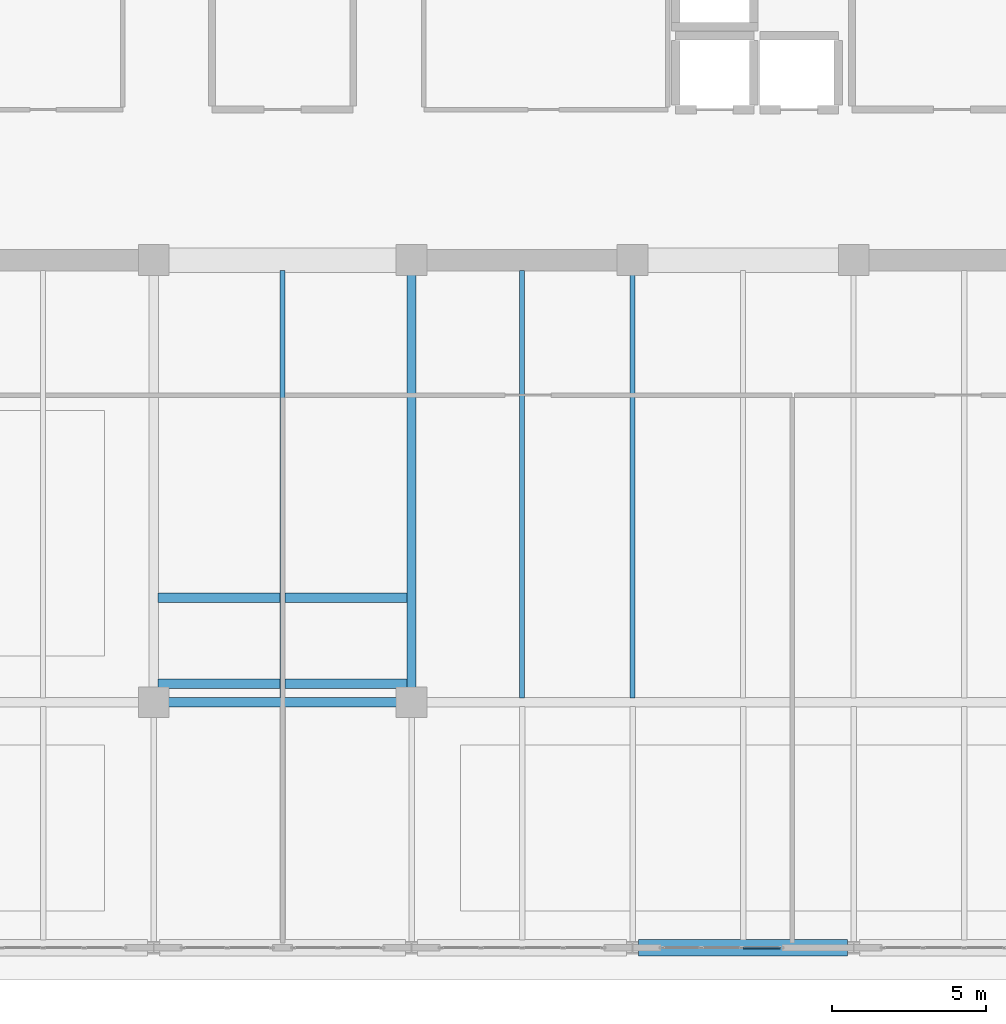
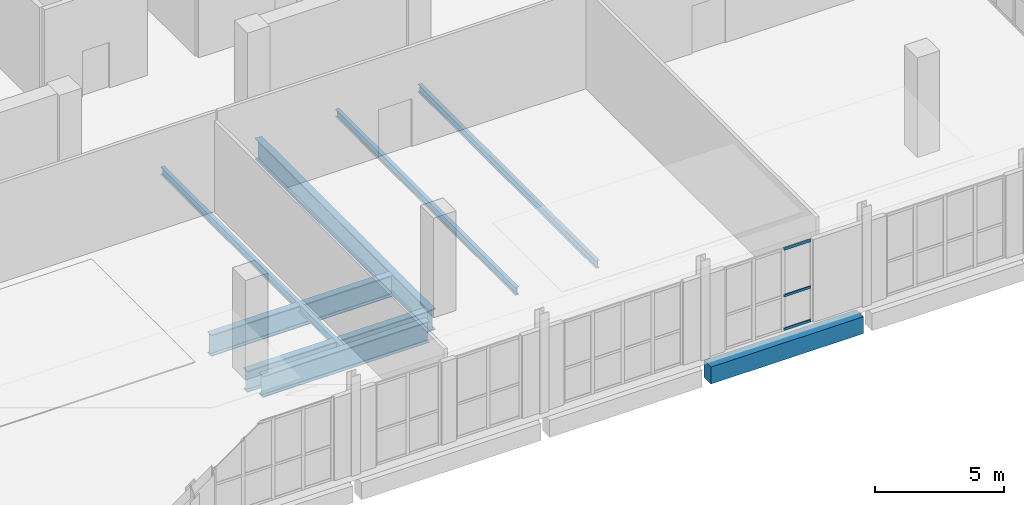
# One storey, part 16 of 36: 8 beams, 3 members, 1 element without a shape of its own.
"""IFC4 building model written with IfcOpenShell, lengths in metres."""

from ifc_helpers import new_model, si_unit, direction, frame, origin, origin_2d, place, context, subcontext, project, spatial, rectangle, hollow_rectangle, i_section, extrude, material, layer, layer_set, material_profile, profile_set, type_object, element, aggregate, save


model = new_model("IFC4")

# Units and contexts
model_context = context("Model", 3, precision=1e-05, world=origin(), true_north=direction((0.0, 1.0)))
body_context = subcontext(model_context, "Body", "Model", "MODEL_VIEW")
ifc_project = project(units=[si_unit("LENGTHUNIT", "METRE"), si_unit("AREAUNIT", "SQUARE_METRE"), si_unit("VOLUMEUNIT", "CUBIC_METRE"), si_unit("PLANEANGLEUNIT", "RADIAN"), si_unit("MASSUNIT", "GRAM", prefix="KILO")], contexts=[model_context])

# Site, building, storey
site_placement = place(None, origin())
site = spatial("IfcSite", under=ifc_project, at=site_placement, CompositionType="ELEMENT")
building_placement = place(site_placement, origin())
building = spatial("IfcBuilding", under=site, at=building_placement, Name="Kaelvorn Grand Hotel", CompositionType="ELEMENT")
storey_placement = place(building_placement, frame((0.0, 0.0, 305.699951171875)))
storey = spatial("IfcBuildingStorey", under=building, at=storey_placement, Name="L74", CompositionType="ELEMENT", Elevation=305.699951171875)

# Beams
ifc_material_1 = material(Name="Steel S460", Category="steel")
ifc_material_profile_1 = material_profile(ifc_material_1, i_section(OverallWidth=0.302001953125, OverallDepth=1.008056640625, WebThickness=0.02099609375, FlangeThickness=0.0400390625, FilletRadius=0.024169921875, at=origin_2d()), Name="UB 1016x305x349")
ifc_profile_set_1 = profile_set([ifc_material_profile_1], Name="Steel S460")
beam_type_1 = type_object("IfcBeamType", Name="BM-G-UB1016-S460", PredefinedType="BEAM", material=ifc_profile_set_1)
beam_1_placement = place(storey_placement, frame((38.284912109375, 15.0, -0.884033203125), z_axis=(1.0, 0.0, 0.0), x_axis=(0.0, 1.0, 0.0)))
element("IfcBeam", 1, at=beam_1_placement, inside=storey, type_object=beam_type_1, Name="L74 Primary Spine Steel Girder G-15 03", PredefinedType="BEAM", context=body_context, shape_type="SweptSolid", body=[
    extrude(i_section(OverallWidth=0.302001953125, OverallDepth=1.008056640625, WebThickness=0.02099609375, FlangeThickness=0.0400390625, FilletRadius=0.024169921875, at=origin_2d()), origin(), (0.0, 0.0, 1.0), 7.43017578125),
])
beam_2_placement = place(storey_placement, frame((46.199951171875, 15.485107421875, -0.884033203125), z_axis=(0.0, 1.0, 0.0), x_axis=(-1.0, 0.0, 0.0)))
element("IfcBeam", 2, at=beam_2_placement, inside=storey, type_object=beam_type_1, Name="L74 TMD Frame Girder N2 01", PredefinedType="BEAM", context=body_context, shape_type="SweptSolid", body=[
    extrude(i_section(OverallWidth=0.302001953125, OverallDepth=1.008056640625, WebThickness=0.02099609375, FlangeThickness=0.0400390625, FilletRadius=0.024169921875, at=origin_2d()), origin(), (0.0, 0.0, 1.0), 13.429931640625),
])
for number, where, z_axis, x_axis, name in (
    (3, (37.93994140625, 15.60009765625, -0.884033203125), (1.0, 0.0, 0.0), (0.0, 1.0, 0.0), "L74 Tuned Mass Damper Support Girder G1-1"),
    (4, (37.93994140625, 18.39990234375, -0.884033203125), (1.0, 0.0, 0.0), (0.0, 1.0, 0.0), "L74 Tuned Mass Damper Support Girder G1-2"),
):
    element("IfcBeam", number, at=place(storey_placement, frame(where, z_axis=z_axis, x_axis=x_axis)), inside=storey, type_object=beam_type_1, Name=name, PredefinedType="BEAM", context=body_context, shape_type="SweptSolid", body=[
        extrude(i_section(OverallWidth=0.302001953125, OverallDepth=1.008056640625, WebThickness=0.02099609375, FlangeThickness=0.0400390625, FilletRadius=0.024169921875, at=origin_2d()), origin(), (0.0, 0.0, 1.0), 8.1201171875),
    ])
ifc_material_2 = material(Name="Steel S355", Category="steel")
ifc_material_profile_2 = material_profile(ifc_material_2, i_section(OverallWidth=0.169921875, OverallDepth=0.360107421875, WebThickness=0.008056640625, FlangeThickness=0.0126953125, FilletRadius=0.01806640625, at=origin_2d()), Name="IPE 360")
ifc_profile_set_2 = profile_set([ifc_material_profile_2], Name="Steel S355")
beam_type_2 = type_object("IfcBeamType", Name="BM-J-IPE360-S355", PredefinedType="JOIST", material=ifc_profile_set_2)
for number, where, z_axis, x_axis, name in (
    (5, (42.0, 15.135986328125, -0.56005859375), (0.0, 1.0, 0.0), (-1.0, 0.0, 0.0), "L74 Composite Floor Joist JM-12"),
    (6, (49.800048828125, 15.135986328125, -0.56005859375), (0.0, 1.0, 0.0), (-1.0, 0.0, 0.0), "L74 Composite Floor Joist JM-14"),
):
    element("IfcBeam", number, at=place(storey_placement, frame(where, z_axis=z_axis, x_axis=x_axis)), inside=storey, type_object=beam_type_2, Name=name, PredefinedType="JOIST", context=body_context, shape_type="SweptSolid", body=[
        extrude(i_section(OverallWidth=0.169921875, OverallDepth=0.360107421875, WebThickness=0.008056640625, FlangeThickness=0.0126953125, FilletRadius=0.01806640625, at=origin_2d()), origin(), (0.0, 0.0, 1.0), 13.924072265625),
    ])
beam_3_placement = place(storey_placement, frame((53.39990234375, 15.135986328125, -0.56005859375), z_axis=(0.0, 1.0, 0.0), x_axis=(-1.0, 0.0, 0.0)))
element("IfcBeam", 7, at=beam_3_placement, inside=storey, type_object=beam_type_2, Name="L74 Composite Floor Joist JM-15", PredefinedType="JOIST", context=body_context, shape_type="SweptSolid", body=[
    extrude(i_section(OverallWidth=0.169921875, OverallDepth=0.360107421875, WebThickness=0.008056640625, FlangeThickness=0.0126953125, FilletRadius=0.01806640625, at=origin_2d()), origin(), (0.0, 0.0, 1.0), 13.779052734375),
])
ifc_material_3 = material(Name="Concrete C50/60", Category="concrete")
ifc_material_profile_3 = material_profile(ifc_material_3, rectangle(XDim=0.550048828125, YDim=0.800048828125, at=origin_2d()), Name="RC SPANDREL 550x800")
ifc_profile_set_3 = profile_set([ifc_material_profile_3], Name="Concrete C50/60")
beam_type_3 = type_object("IfcBeamType", Name="BM-SP-550x800-C50", PredefinedType="SPANDREL", material=ifc_profile_set_3)
beam_4_placement = place(storey_placement, frame((53.594970703125, 7.0, -0.780029296875), z_axis=(1.0, 0.0, 0.0), x_axis=(0.0, 1.0, 0.0)))
element("IfcBeam", 8, at=beam_4_placement, inside=storey, type_object=beam_type_3, Name="L74 South Perimeter Spandrel 07", PredefinedType="SPANDREL", context=body_context, shape_type="SweptSolid", body=[
    extrude(rectangle(XDim=0.550048828125, YDim=0.800048828125, at=origin_2d()), origin(), (0.0, 0.0, 1.0), 6.81005859375),
])

# Curtain wall, members
ifc_material_4 = material(Name="Anodised Aluminium", Category="aluminium")
ifc_layer = layer(ifc_material_4, 0.159912109375)
ifc_layer_set = layer_set([ifc_layer], Name="Anodised Aluminium")
curtain_wall_type = type_object("IfcCurtainWallType", Name="CW-SYS6", PredefinedType="NOTDEFINED", material=ifc_layer_set)
curtain_wall_placement = place(storey_placement, origin())
curtain_wall = element("IfcCurtainWall", 9, at=curtain_wall_placement, inside=storey, type_object=curtain_wall_type, Name="L74 Unitised Curtain Wall CW6 (CW-L74-S-07)", PredefinedType="NOTDEFINED")
ifc_material_profile_4 = material_profile(ifc_material_4, hollow_rectangle(XDim=0.06494140625, YDim=0.1201171875, WallThickness=0.00341796875, InnerFilletRadius=0.00341796875, OuterFilletRadius=0.007080078125, at=origin_2d()), Name="ALU TRAN 65x120")
ifc_profile_set_4 = profile_set([ifc_material_profile_4], Name="Anodised Aluminium")
member_type = type_object("IfcMemberType", Name="CW-SYS6-TRAN", PredefinedType="NOTDEFINED", material=ifc_profile_set_4)
member_1_placement = place(storey_placement, frame((56.992431640625, 7.0, 0.06005859375), z_axis=(1.0, 0.0, 0.0), x_axis=(0.0, 1.0, 0.0)))
member_1 = element("IfcMember", 10, at=member_1_placement, type_object=member_type, Name="CW6 transom 3.1", ObjectType="TRANSOM", PredefinedType="USERDEFINED", context=body_context, shape_type="SweptSolid", body=[
    extrude(hollow_rectangle(XDim=0.06494140625, YDim=0.1201171875, WallThickness=0.00341796875, InnerFilletRadius=0.00341796875, OuterFilletRadius=0.007080078125, at=origin_2d()), origin(), (0.0, 0.0, 1.0), 1.22265625),
])
member_2_placement = place(storey_placement, frame((56.992431640625, 7.0, 1.637939453125), z_axis=(1.0, 0.0, 0.0), x_axis=(0.0, 1.0, 0.0)))
member_2 = element("IfcMember", 11, at=member_2_placement, type_object=member_type, Name="CW6 transom 3.2", ObjectType="TRANSOM", PredefinedType="USERDEFINED", context=body_context, shape_type="SweptSolid", body=[
    extrude(hollow_rectangle(XDim=0.06494140625, YDim=0.1201171875, WallThickness=0.00341796875, InnerFilletRadius=0.00341796875, OuterFilletRadius=0.007080078125, at=origin_2d()), origin(), (0.0, 0.0, 1.0), 1.22265625),
])
member_3_placement = place(storey_placement, frame((56.992431640625, 7.0, 3.840087890625), z_axis=(1.0, 0.0, 0.0), x_axis=(0.0, 1.0, 0.0)))
member_3 = element("IfcMember", 12, at=member_3_placement, type_object=member_type, Name="CW6 transom 3.3", ObjectType="TRANSOM", PredefinedType="USERDEFINED", context=body_context, shape_type="SweptSolid", body=[
    extrude(hollow_rectangle(XDim=0.06494140625, YDim=0.1201171875, WallThickness=0.00341796875, InnerFilletRadius=0.00341796875, OuterFilletRadius=0.007080078125, at=origin_2d()), origin(), (0.0, 0.0, 1.0), 1.22265625),
])
aggregate(curtain_wall, [member_1, member_2, member_3])

save(model, "model.ifc")
